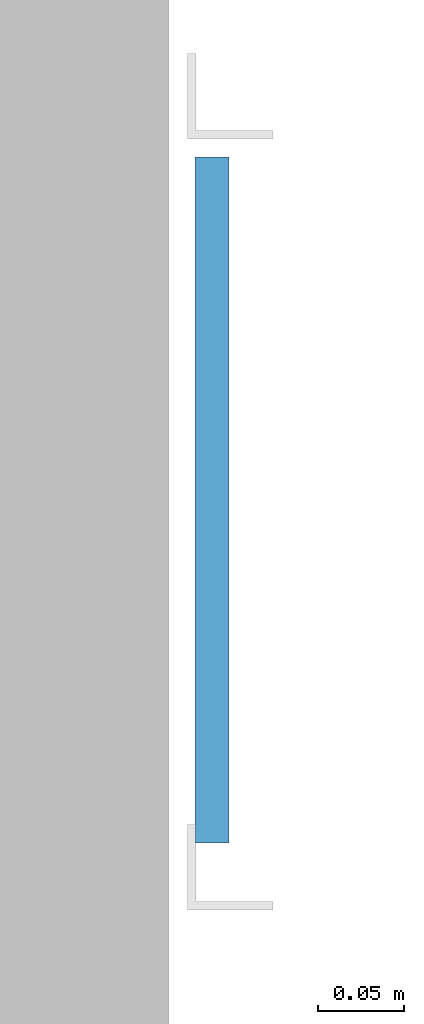
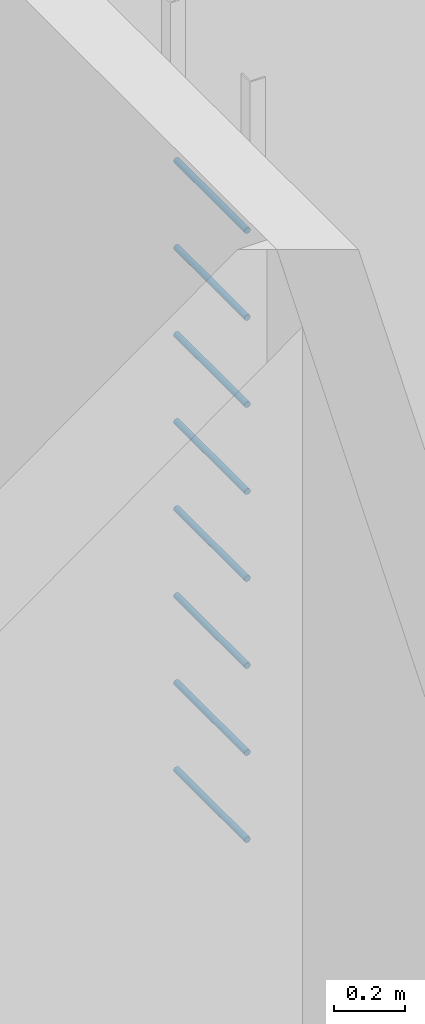
# One storey, part 21 of 55: 8 members.
"""IFC4 building model written with IfcOpenShell, lengths in metres."""

from ifc_helpers import new_model, si_unit, direction, frame, origin, origin_2d, place, context, subcontext, project, spatial, circle, extrude, material, material_profile, profile_set, type_object, element, save


model = new_model("IFC4")

# Units and contexts
model_context = context("Model", 3, precision=1e-05, world=origin(), true_north=direction((0.0, 1.0)))
body_context = subcontext(model_context, "Body", "Model", "MODEL_VIEW")
ifc_project = project(units=[si_unit("LENGTHUNIT", "METRE"), si_unit("AREAUNIT", "SQUARE_METRE"), si_unit("VOLUMEUNIT", "CUBIC_METRE"), si_unit("PLANEANGLEUNIT", "RADIAN"), si_unit("MASSUNIT", "GRAM", prefix="KILO")], contexts=[model_context])

# Site, building, storey
site_placement = place(None, origin())
site = spatial("IfcSite", under=ifc_project, at=site_placement, CompositionType="ELEMENT")
building_placement = place(site_placement, origin())
building = spatial("IfcBuilding", under=site, at=building_placement, Name="Ridgestep Commons", CompositionType="ELEMENT")
storey_placement = place(building_placement, frame((0.0, 0.0, 36.0)))
storey = spatial("IfcBuildingStorey", under=building, at=storey_placement, Name="L12", CompositionType="ELEMENT", Elevation=36.0)

# Members
ifc_material = material(Name="Structural steel S355JR", Category="steel")
ifc_material_profile = material_profile(ifc_material, circle(Radius=0.010009765625, at=origin_2d()), Name="Round bar 20")
ifc_profile_set = profile_set([ifc_material_profile], Name="Structural steel S355JR")
member_type = type_object("IfcMemberType", Name="Core ladder rung 20", PredefinedType="STRINGER", material=ifc_profile_set)
for number, where, z_axis, x_axis, name in (
    (1, (183.39990234375, 75.89990234375, 0.300048828125), (0.0, 1.0, 0.0), (-1.0, 0.0, 0.0), "Ladder rung C3C.1"),
    (2, (183.39990234375, 75.89990234375, 0.60009765625), (0.0, 1.0, 0.0), (-1.0, 0.0, 0.0), "Ladder rung C3C.2"),
    (3, (183.39990234375, 75.89990234375, 0.89990234375), (0.0, 1.0, 0.0), (-1.0, 0.0, 0.0), "Ladder rung C3C.3"),
    (4, (183.39990234375, 75.89990234375, 1.199951171875), (0.0, 1.0, 0.0), (-1.0, 0.0, 0.0), "Ladder rung C3C.4"),
    (5, (183.39990234375, 75.89990234375, 1.5), (0.0, 1.0, 0.0), (-1.0, 0.0, 0.0), "Ladder rung C3C.5"),
    (6, (183.39990234375, 75.89990234375, 1.800048828125), (0.0, 1.0, 0.0), (-1.0, 0.0, 0.0), "Ladder rung C3C.6"),
    (7, (183.39990234375, 75.89990234375, 2.10009765625), (0.0, 1.0, 0.0), (-1.0, 0.0, 0.0), "Ladder rung C3C.7"),
    (8, (183.39990234375, 75.89990234375, 2.39990234375), (0.0, 1.0, 0.0), (-1.0, 0.0, 0.0), "Ladder rung C3C.8"),
):
    element("IfcMember", number, at=place(storey_placement, frame(where, z_axis=z_axis, x_axis=x_axis)), inside=storey, type_object=member_type, Name=name, PredefinedType="STRINGER", context=body_context, shape_type="SweptSolid", body=[
        extrude(circle(Radius=0.010009765625, at=origin_2d()), origin(), (0.0, 0.0, 1.0), 0.400146484375),
    ])

save(model, "model.ifc")
